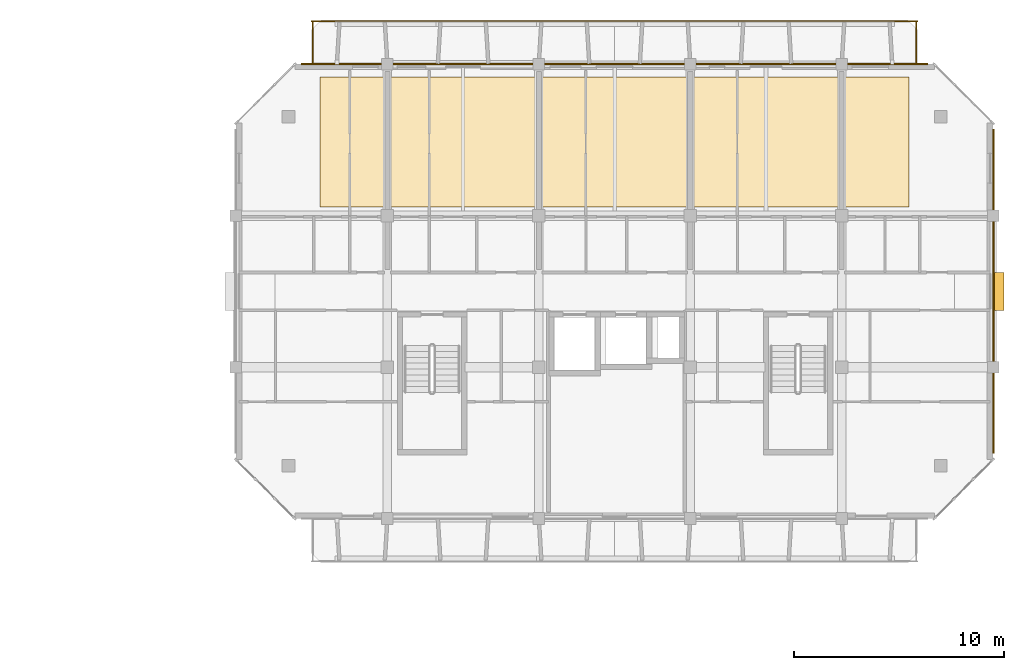
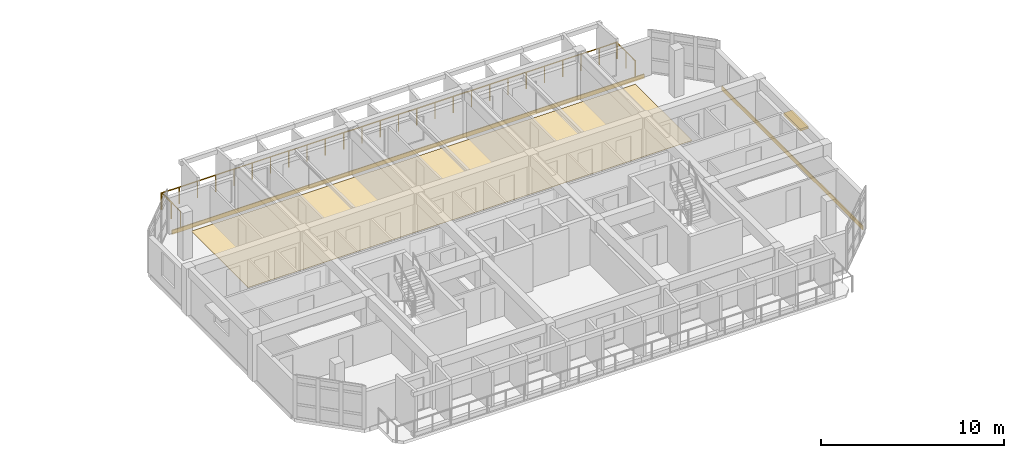
# One storey, part 64 of 64: 3 coverings, 3 railings, 1 shading device.
"""IFC4 building model written with IfcOpenShell, lengths in metres."""

from ifc_helpers import new_model, si_unit, direction, frame, origin, origin_2d, place, context, subcontext, project, spatial, polyline, rectangle, circle, outline, extrude, material, layer, layer_set, type_object, element, save


model = new_model("IFC4")

# Units and contexts
model_context = context("Model", 3, precision=1e-05, world=origin(), true_north=direction((0.0, 1.0)))
body_context = subcontext(model_context, "Body", "Model", "MODEL_VIEW")
ifc_project = project(units=[si_unit("LENGTHUNIT", "METRE"), si_unit("AREAUNIT", "SQUARE_METRE"), si_unit("VOLUMEUNIT", "CUBIC_METRE"), si_unit("PLANEANGLEUNIT", "RADIAN"), si_unit("MASSUNIT", "GRAM", prefix="KILO")], contexts=[model_context])

# Site, building, storey
site_placement = place(None, origin())
site = spatial("IfcSite", under=ifc_project, at=site_placement, CompositionType="ELEMENT")
building_placement = place(site_placement, origin())
building = spatial("IfcBuilding", under=site, at=building_placement, Name="Ochrevale Crest", CompositionType="ELEMENT")
storey_placement = place(building_placement, frame((0.0, 0.0, 8.699951171875)))
storey = spatial("IfcBuildingStorey", under=building, at=storey_placement, Name="L02", CompositionType="ELEMENT", Elevation=8.699951171875)

# Coverings
ifc_material_1 = material(Name="Glazed terracotta rainscreen tile", Category="masonry")
ifc_layer_1 = layer(ifc_material_1, 0.048095703125)
ifc_layer_set_1 = layer_set([ifc_layer_1], Name="Glazed terracotta rainscreen tile")
covering_type_1 = type_object("IfcCoveringType", Name="COV-CLAD-TER", PredefinedType="CLADDING", material=ifc_layer_set_1)
covering_1_placement = place(storey_placement, frame((165.614501953125, 82.800048828125, -0.259765625), z_axis=(0.0, 0.0, 1.0), x_axis=(0.0, 1.0, 0.0)))
element("IfcCovering", 1, at=covering_1_placement, inside=storey, type_object=covering_type_1, Name="Block D L02 terracotta slab-edge spandrel cladding", PredefinedType="CLADDING", context=body_context, shape_type="SweptSolid", body=[
    extrude(rectangle(XDim=15.39990234375, YDim=0.06005859375, at=origin_2d()), origin(), (0.0, 0.0, 1.0), 0.280029296875),
])
covering_2_placement = place(storey_placement, frame((147.60009765625, 93.612548828125, -0.259765625), z_axis=(0.0, 0.0, 1.0), x_axis=(-1.0, 0.0, 0.0)))
element("IfcCovering", 2, at=covering_2_placement, inside=storey, type_object=covering_type_1, Name="Block D L02 terracotta slab-edge spandrel cladding", PredefinedType="CLADDING", context=body_context, shape_type="SweptSolid", body=[
    extrude(rectangle(XDim=29.800048828125, YDim=0.06005859375, at=origin_2d()), origin(), (0.0, 0.0, 1.0), 0.280029296875),
])
ifc_material_2 = material(Name="Engineered spotted-gum hardwood flooring", Category="wood")
ifc_layer_2 = layer(ifc_material_2, 0.02001953125)
ifc_layer_set_2 = layer_set([ifc_layer_2], Name="Engineered spotted-gum hardwood flooring")
covering_type_2 = type_object("IfcCoveringType", Name="COV-FLR-TIM", PredefinedType="FLOORING", material=ifc_layer_set_2)
covering_3_placement = place(storey_placement, origin())
element("IfcCovering", 3, at=covering_3_placement, inside=storey, type_object=covering_type_2, Name="Block D L02 spotted-gum apartment flooring", PredefinedType="FLOORING", context=body_context, shape_type="SweptSolid", body=[
    extrude(outline(polyline([(133.60009765625, 86.800048828125), (161.60009765625, 86.800048828125), (161.60009765625, 93.0), (133.60009765625, 93.0), (133.60009765625, 86.800048828125)])), origin(), (0.0, 0.0, 1.0), 0.02001953125),
])

# Railings
ifc_material_3 = material(Name="Galvanised steel", Category="steel")
railing_type = type_object("IfcRailingType", Name="RL-BAL-1100", PredefinedType="BALUSTRADE", material=ifc_material_3)
railing_placement = place(storey_placement, frame((133.199951171875, 95.639892578125, 0.0)))
element("IfcRailing", 4, at=railing_placement, inside=storey, type_object=railing_type, Name="Block D L02 N balcony front balustrade", PredefinedType="BALUSTRADE", context=body_context, shape_type="SweptSolid", body=[
    extrude(circle(Radius=0.02392578125, at=origin_2d()), frame((0.0, 0.0, 1.0859375), z_axis=(1.0, 0.0, 0.0), x_axis=(0.0, 1.0, 0.0)), (0.0, 0.0, 1.0), 28.800048828125),
    extrude(circle(Radius=0.02099609375, at=origin_2d()), origin(), (0.0, 0.0, 1.0), 1.06201171875),
    extrude(circle(Radius=0.02099609375, at=origin_2d()), frame((1.152099609375, 0.0, 0.0)), (0.0, 0.0, 1.0), 1.06201171875),
    extrude(circle(Radius=0.02099609375, at=origin_2d()), frame((2.303955078125, 0.0, 0.0)), (0.0, 0.0, 1.0), 1.06201171875),
    extrude(circle(Radius=0.02099609375, at=origin_2d()), frame((3.4560546875, 0.0, 0.0)), (0.0, 0.0, 1.0), 1.06201171875),
    extrude(circle(Radius=0.02099609375, at=origin_2d()), frame((4.60791015625, 0.0, 0.0)), (0.0, 0.0, 1.0), 1.06201171875),
    extrude(circle(Radius=0.02099609375, at=origin_2d()), frame((5.760009765625, 0.0, 0.0)), (0.0, 0.0, 1.0), 1.06201171875),
    extrude(circle(Radius=0.02099609375, at=origin_2d()), frame((6.912109375, 0.0, 0.0)), (0.0, 0.0, 1.0), 1.06201171875),
    extrude(circle(Radius=0.02099609375, at=origin_2d()), frame((8.06396484375, 0.0, 0.0)), (0.0, 0.0, 1.0), 1.06201171875),
    extrude(circle(Radius=0.02099609375, at=origin_2d()), frame((9.216064453125, 0.0, 0.0)), (0.0, 0.0, 1.0), 1.06201171875),
    extrude(circle(Radius=0.02099609375, at=origin_2d()), frame((10.367919921875, 0.0, 0.0)), (0.0, 0.0, 1.0), 1.06201171875),
    extrude(circle(Radius=0.02099609375, at=origin_2d()), frame((11.52001953125, 0.0, 0.0)), (0.0, 0.0, 1.0), 1.06201171875),
    extrude(circle(Radius=0.02099609375, at=origin_2d()), frame((12.672119140625, 0.0, 0.0)), (0.0, 0.0, 1.0), 1.06201171875),
    extrude(circle(Radius=0.02099609375, at=origin_2d()), frame((13.823974609375, 0.0, 0.0)), (0.0, 0.0, 1.0), 1.06201171875),
    extrude(circle(Radius=0.02099609375, at=origin_2d()), frame((14.97607421875, 0.0, 0.0)), (0.0, 0.0, 1.0), 1.06201171875),
    extrude(circle(Radius=0.02099609375, at=origin_2d()), frame((16.1279296875, 0.0, 0.0)), (0.0, 0.0, 1.0), 1.06201171875),
    extrude(circle(Radius=0.02099609375, at=origin_2d()), frame((17.280029296875, 0.0, 0.0)), (0.0, 0.0, 1.0), 1.06201171875),
    extrude(circle(Radius=0.02099609375, at=origin_2d()), frame((18.43212890625, 0.0, 0.0)), (0.0, 0.0, 1.0), 1.06201171875),
    extrude(circle(Radius=0.02099609375, at=origin_2d()), frame((19.583984375, 0.0, 0.0)), (0.0, 0.0, 1.0), 1.06201171875),
    extrude(circle(Radius=0.02099609375, at=origin_2d()), frame((20.736083984375, 0.0, 0.0)), (0.0, 0.0, 1.0), 1.06201171875),
    extrude(circle(Radius=0.02099609375, at=origin_2d()), frame((21.887939453125, 0.0, 0.0)), (0.0, 0.0, 1.0), 1.06201171875),
    extrude(circle(Radius=0.02099609375, at=origin_2d()), frame((23.0400390625, 0.0, 0.0)), (0.0, 0.0, 1.0), 1.06201171875),
    extrude(circle(Radius=0.02099609375, at=origin_2d()), frame((24.192138671875, 0.0, 0.0)), (0.0, 0.0, 1.0), 1.06201171875),
    extrude(circle(Radius=0.02099609375, at=origin_2d()), frame((25.343994140625, 0.0, 0.0)), (0.0, 0.0, 1.0), 1.06201171875),
    extrude(circle(Radius=0.02099609375, at=origin_2d()), frame((26.49609375, 0.0, 0.0)), (0.0, 0.0, 1.0), 1.06201171875),
    extrude(circle(Radius=0.02099609375, at=origin_2d()), frame((27.64794921875, 0.0, 0.0)), (0.0, 0.0, 1.0), 1.06201171875),
    extrude(circle(Radius=0.02099609375, at=origin_2d()), frame((28.800048828125, 0.0, 0.0)), (0.0, 0.0, 1.0), 1.06201171875),
])
for number, where, name in (
    (5, (133.260009765625, 93.60009765625, 0.0), "Block D L02 N-W balcony side guard"),
    (6, (161.93994140625, 93.60009765625, 0.0), "Block D L02 N-E balcony side guard"),
):
    element("IfcRailing", number, at=place(storey_placement, frame(where)), inside=storey, type_object=railing_type, Name=name, PredefinedType="BALUSTRADE", context=body_context, shape_type="SweptSolid", body=[
        extrude(circle(Radius=0.02392578125, at=origin_2d()), frame((0.0, 0.0, 1.0859375), z_axis=(0.0, 1.0, 0.0), x_axis=(-1.0, 0.0, 0.0)), (0.0, 0.0, 1.0), 2.039794921875),
        extrude(circle(Radius=0.02099609375, at=origin_2d()), origin(), (0.0, 0.0, 1.0), 1.06201171875),
        extrude(circle(Radius=0.02099609375, at=origin_2d()), frame((0.0, 1.02001953125, 0.0)), (0.0, 0.0, 1.0), 1.06201171875),
        extrude(circle(Radius=0.02099609375, at=origin_2d()), frame((0.0, 2.039794921875, 0.0)), (0.0, 0.0, 1.0), 1.06201171875),
    ])

# Shading device
ifc_material_4 = material(Name="Anodised aluminium 6063-T5", Category="aluminium")
shading_device_type = type_object("IfcShadingDeviceType", Name="SHD-SUNSHADE-OC", PredefinedType="USERDEFINED", material=ifc_material_4)
shading_device_placement = place(storey_placement, frame((165.840087890625, 82.800048828125, 2.2099609375), z_axis=(0.0, 0.0, 1.0), x_axis=(1.0, 0.0, 0.0)))
element("IfcShadingDevice", 7, at=shading_device_placement, inside=storey, type_object=shading_device_type, Name="Block D L02 gable window sunshade E", ObjectType="HORIZONTAL SUNSHADE", PredefinedType="USERDEFINED", context=body_context, shape_type="SweptSolid", body=[
    extrude(rectangle(XDim=0.550048828125, YDim=1.800048828125, at=origin_2d()), origin(), (0.0, 0.0, 1.0), 0.139892578125),
])

save(model, "model.ifc")
